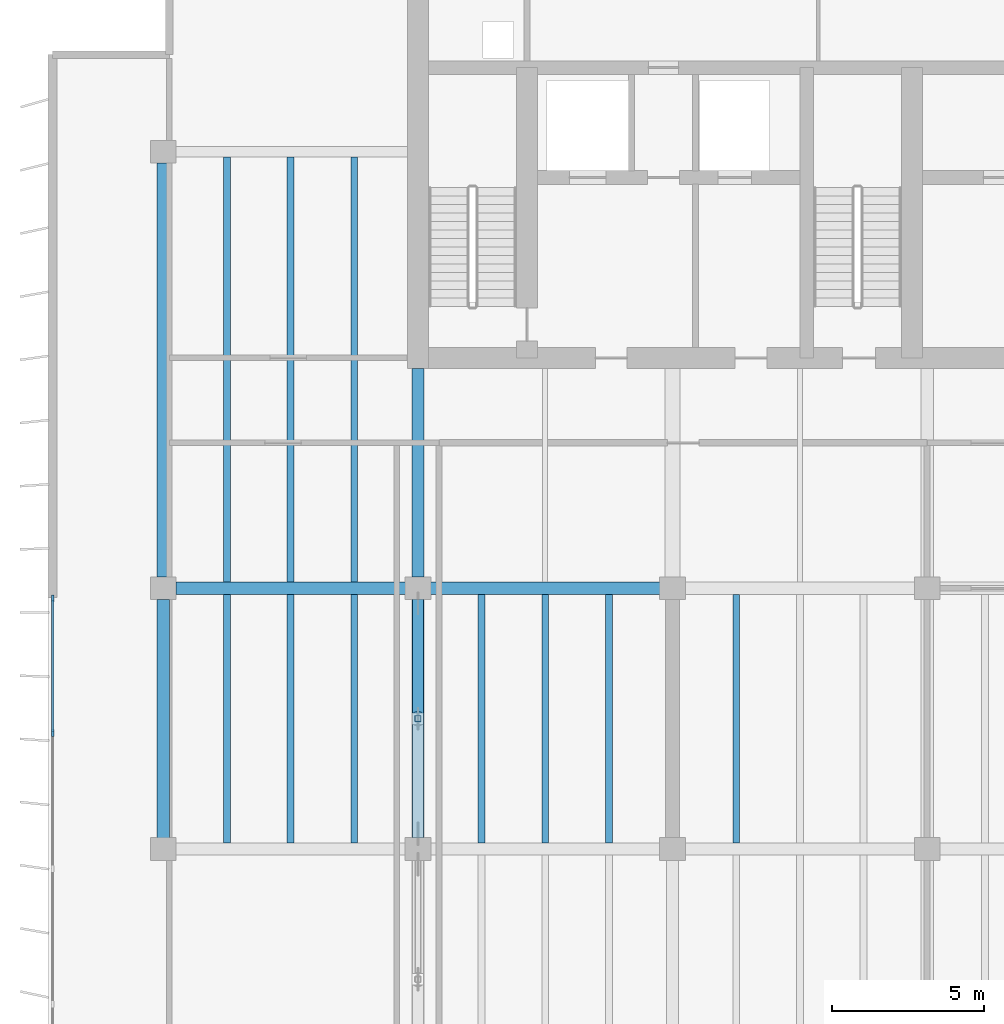
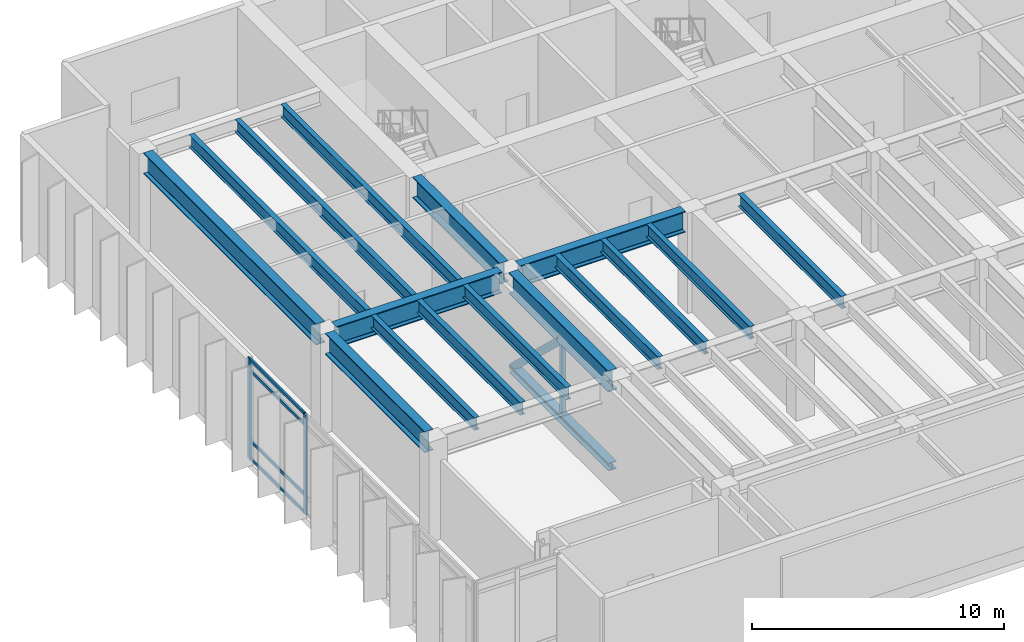
# One storey, part 4 of 23: 17 beams, 8 members, 1 element without a shape of its own.
"""IFC4 building model written with IfcOpenShell, lengths in metres."""

from ifc_helpers import new_model, si_unit, direction, frame, origin, origin_2d, place, context, subcontext, project, spatial, rectangle, hollow_rectangle, hollow_circle, i_section, extrude, material, layer, layer_set, material_profile, profile_set, type_object, element, aggregate, save


model = new_model("IFC4")

# Units and contexts
model_context = context("Model", 3, precision=1e-05, world=origin(), true_north=direction((0.0, 1.0)))
body_context = subcontext(model_context, "Body", "Model", "MODEL_VIEW")
ifc_project = project(units=[si_unit("LENGTHUNIT", "METRE"), si_unit("AREAUNIT", "SQUARE_METRE"), si_unit("VOLUMEUNIT", "CUBIC_METRE"), si_unit("PLANEANGLEUNIT", "RADIAN"), si_unit("MASSUNIT", "GRAM", prefix="KILO")], contexts=[model_context])

# Site, building, storey
site_placement = place(None, origin())
site = spatial("IfcSite", under=ifc_project, at=site_placement, CompositionType="ELEMENT")
building_placement = place(site_placement, origin())
building = spatial("IfcBuilding", under=site, at=building_placement, Name="Caelmar Bay Residences", CompositionType="ELEMENT")
storey_placement = place(building_placement, frame((0.0, 0.0, 221.39990234375)))
storey = spatial("IfcBuildingStorey", under=building, at=storey_placement, Name="L62", CompositionType="ELEMENT", Elevation=221.39990234375)

# Beams
ifc_material_1 = material(Name="Steel ASTM A992 Grade 50", Category="steel")
ifc_material_profile_1 = material_profile(ifc_material_1, i_section(OverallWidth=0.373046875, OverallDepth=0.373046875, WebThickness=0.016357421875, FlangeThickness=0.026123046875, FilletRadius=0.01513671875, at=origin_2d()), Name="W14X132")
ifc_profile_set_1 = profile_set([ifc_material_profile_1], Name="Steel ASTM A992 Grade 50")
beam_type_1 = type_object("IfcBeamType", Name="BM-CHD-W14X132", PredefinedType="BEAM", material=ifc_profile_set_1)
beam_1_placement = place(storey_placement, frame((18.300048828125, 21.1650390625, 0.1865234375), z_axis=(0.0, 1.0, 0.0), x_axis=(-1.0, 0.0, 0.0)))
element("IfcBeam", 1, at=beam_1_placement, inside=storey, type_object=beam_type_1, Name="L62 Outrigger Bottom Chord 2", PredefinedType="BEAM", context=body_context, shape_type="SweptSolid", body=[
    extrude(i_section(OverallWidth=0.373046875, OverallDepth=0.373046875, WebThickness=0.016357421875, FlangeThickness=0.026123046875, FilletRadius=0.01513671875, at=origin_2d()), origin(), (0.0, 0.0, 1.0), 7.869873046875),
])
ifc_material_profile_2 = material_profile(ifc_material_1, i_section(OverallWidth=0.404052734375, OverallDepth=1.02099609375, WebThickness=0.025390625, FlangeThickness=0.0458984375, FilletRadius=0.02294921875, at=origin_2d()), Name="W40X324")
ifc_profile_set_2 = profile_set([ifc_material_profile_2], Name="Steel ASTM A992 Grade 50")
beam_type_2 = type_object("IfcBeamType", Name="BM-GRD-W40X324", PredefinedType="BEAM", material=ifc_profile_set_2)
beam_2_placement = place(storey_placement, frame((10.31494140625, 29.39990234375, 4.339599609375), z_axis=(1.0, 0.0, 0.0), x_axis=(0.0, 1.0, 0.0)))
element("IfcBeam", 2, at=beam_2_placement, inside=storey, type_object=beam_type_2, Name="L62 East-West Girder Y=29.40 (9.9-18.3)", PredefinedType="BEAM", context=body_context, shape_type="SweptSolid", body=[
    extrude(i_section(OverallWidth=0.404052734375, OverallDepth=1.02099609375, WebThickness=0.025390625, FlangeThickness=0.0458984375, FilletRadius=0.02294921875, at=origin_2d()), origin(), (0.0, 0.0, 1.0), 7.570068359375),
])
beam_3_placement = place(storey_placement, frame((18.715087890625, 29.39990234375, 4.339599609375), z_axis=(1.0, 0.0, 0.0), x_axis=(0.0, 1.0, 0.0)))
element("IfcBeam", 3, at=beam_3_placement, inside=storey, type_object=beam_type_2, Name="L62 East-West Girder Y=29.40 (18.3-26.7)", PredefinedType="BEAM", context=body_context, shape_type="SweptSolid", body=[
    extrude(i_section(OverallWidth=0.404052734375, OverallDepth=1.02099609375, WebThickness=0.025390625, FlangeThickness=0.0458984375, FilletRadius=0.02294921875, at=origin_2d()), origin(), (0.0, 0.0, 1.0), 7.56982421875),
])
beam_4_placement = place(storey_placement, frame((9.89990234375, 21.1650390625, 4.339599609375), z_axis=(0.0, 1.0, 0.0), x_axis=(-1.0, 0.0, 0.0)))
element("IfcBeam", 4, at=beam_4_placement, inside=storey, type_object=beam_type_2, Name="L62 North-South Girder X=9.90 (20.8-29.4)", PredefinedType="BEAM", context=body_context, shape_type="SweptSolid", body=[
    extrude(i_section(OverallWidth=0.404052734375, OverallDepth=1.02099609375, WebThickness=0.025390625, FlangeThickness=0.0458984375, FilletRadius=0.02294921875, at=origin_2d()), origin(), (0.0, 0.0, 1.0), 7.869873046875),
])
beam_5_placement = place(storey_placement, frame((9.89990234375, 29.764892578125, 4.339599609375), z_axis=(0.0, 1.0, 0.0), x_axis=(-1.0, 0.0, 0.0)))
element("IfcBeam", 5, at=beam_5_placement, inside=storey, type_object=beam_type_2, Name="L62 North-South Girder X=9.90 (29.4-43.8)", PredefinedType="BEAM", context=body_context, shape_type="SweptSolid", body=[
    extrude(i_section(OverallWidth=0.404052734375, OverallDepth=1.02099609375, WebThickness=0.025390625, FlangeThickness=0.0458984375, FilletRadius=0.02294921875, at=origin_2d()), origin(), (0.0, 0.0, 1.0), 13.670166015625),
])
beam_6_placement = place(storey_placement, frame((18.300048828125, 29.764892578125, 4.339599609375), z_axis=(0.0, 1.0, 0.0), x_axis=(-1.0, 0.0, 0.0)))
element("IfcBeam", 6, at=beam_6_placement, inside=storey, type_object=beam_type_2, Name="L62 Core Tie Girder X=18.30", PredefinedType="BEAM", context=body_context, shape_type="SweptSolid", body=[
    extrude(i_section(OverallWidth=0.404052734375, OverallDepth=1.02099609375, WebThickness=0.025390625, FlangeThickness=0.0458984375, FilletRadius=0.02294921875, at=origin_2d()), origin(), (0.0, 0.0, 1.0), 6.885009765625),
])
beam_7_placement = place(storey_placement, frame((18.300048828125, 21.1650390625, 4.339599609375), z_axis=(0.0, 1.0, 0.0), x_axis=(-1.0, 0.0, 0.0)))
element("IfcBeam", 7, at=beam_7_placement, inside=storey, type_object=beam_type_2, Name="L62 North-South Girder X=18.30 (20.8-29.4)", PredefinedType="BEAM", context=body_context, shape_type="SweptSolid", body=[
    extrude(i_section(OverallWidth=0.404052734375, OverallDepth=1.02099609375, WebThickness=0.025390625, FlangeThickness=0.0458984375, FilletRadius=0.02294921875, at=origin_2d()), origin(), (0.0, 0.0, 1.0), 7.869873046875),
])
ifc_material_profile_3 = material_profile(ifc_material_1, i_section(OverallWidth=0.22900390625, OverallDepth=0.612060546875, WebThickness=0.011962890625, FlangeThickness=0.01953125, FilletRadius=0.0126953125, at=origin_2d()), Name="W24X84")
ifc_profile_set_3 = profile_set([ifc_material_profile_3], Name="Steel ASTM A992 Grade 50")
beam_type_3 = type_object("IfcBeamType", Name="BM-JST-W24X84", PredefinedType="JOIST", material=ifc_profile_set_3)
for number, where, z_axis, x_axis, name in (
    (8, (12.0, 21.001953125, 4.544189453125), (0.0, 1.0, 0.0), (-1.0, 0.0, 0.0), "L62 Composite Floor Joist 16"),
    (9, (14.10009765625, 21.001953125, 4.544189453125), (0.0, 1.0, 0.0), (-1.0, 0.0, 0.0), "L62 Composite Floor Joist 17"),
    (10, (16.199951171875, 21.001953125, 4.544189453125), (0.0, 1.0, 0.0), (-1.0, 0.0, 0.0), "L62 Composite Floor Joist 18"),
    (11, (20.39990234375, 21.001953125, 4.544189453125), (0.0, 1.0, 0.0), (-1.0, 0.0, 0.0), "L62 Composite Floor Joist 19"),
    (12, (22.5, 21.001953125, 4.544189453125), (0.0, 1.0, 0.0), (-1.0, 0.0, 0.0), "L62 Composite Floor Joist 20"),
    (13, (24.60009765625, 21.001953125, 4.544189453125), (0.0, 1.0, 0.0), (-1.0, 0.0, 0.0), "L62 Composite Floor Joist 21"),
    (14, (28.800048828125, 21.001953125, 4.544189453125), (0.0, 1.0, 0.0), (-1.0, 0.0, 0.0), "L62 Composite Floor Joist 22"),
):
    element("IfcBeam", number, at=place(storey_placement, frame(where, z_axis=z_axis, x_axis=x_axis)), inside=storey, type_object=beam_type_3, Name=name, PredefinedType="JOIST", context=body_context, shape_type="SweptSolid", body=[
        extrude(i_section(OverallWidth=0.22900390625, OverallDepth=0.612060546875, WebThickness=0.011962890625, FlangeThickness=0.01953125, FilletRadius=0.0126953125, at=origin_2d()), origin(), (0.0, 0.0, 1.0), 8.196044921875),
    ])
for number, where, z_axis, x_axis, name in (
    (15, (12.0, 29.60205078125, 4.544189453125), (0.0, 1.0, 0.0), (-1.0, 0.0, 0.0), "L62 Composite Floor Joist 42"),
    (16, (14.10009765625, 29.60205078125, 4.544189453125), (0.0, 1.0, 0.0), (-1.0, 0.0, 0.0), "L62 Composite Floor Joist 43"),
    (17, (16.199951171875, 29.60205078125, 4.544189453125), (0.0, 1.0, 0.0), (-1.0, 0.0, 0.0), "L62 Composite Floor Joist 44"),
):
    element("IfcBeam", number, at=place(storey_placement, frame(where, z_axis=z_axis, x_axis=x_axis)), inside=storey, type_object=beam_type_3, Name=name, PredefinedType="JOIST", context=body_context, shape_type="SweptSolid", body=[
        extrude(i_section(OverallWidth=0.22900390625, OverallDepth=0.612060546875, WebThickness=0.011962890625, FlangeThickness=0.01953125, FilletRadius=0.0126953125, at=origin_2d()), origin(), (0.0, 0.0, 1.0), 14.02001953125),
    ])

# Curtain wall, members
ifc_material_2 = material(Name="Anodised bronze aluminium 6063-T6 and laminated glass", Category="aluminium")
ifc_layer = layer(ifc_material_2, 0.179931640625)
ifc_layer_set = layer_set([ifc_layer], Name="Anodised bronze aluminium 6063-T6 and laminated glass")
curtain_wall_type = type_object("IfcCurtainWallType", Name="CW4-Z3", PredefinedType="NOTDEFINED", material=ifc_layer_set)
curtain_wall_placement = place(storey_placement, origin())
curtain_wall = element("IfcCurtainWall", 18, at=curtain_wall_placement, inside=storey, type_object=curtain_wall_type, Name="CW4 curtain wall L62", PredefinedType="NOTDEFINED")
ifc_material_3 = material(Name="Anodised bronze aluminium 6063-T6", Category="aluminium")
ifc_material_profile_4 = material_profile(ifc_material_3, rectangle(XDim=0.080078125, YDim=0.219970703125, at=origin_2d()), Name="CWM-80X220")
ifc_profile_set_4 = profile_set([ifc_material_profile_4], Name="Anodised bronze aluminium 6063-T6")
member_type_1 = type_object("IfcMemberType", Name="CWM-220", PredefinedType="MULLION", material=ifc_profile_set_4)
member_1_placement = place(storey_placement, frame((6.25, 24.625, 0.0), z_axis=(0.0, 0.0, 1.0), x_axis=(-1.0, 0.0, 0.0)))
member_1 = element("IfcMember", 19, at=member_1_placement, type_object=member_type_1, Name="CW4 mullion 4", PredefinedType="MULLION", context=body_context, shape_type="SweptSolid", body=[
    extrude(rectangle(XDim=0.080078125, YDim=0.219970703125, at=origin_2d()), origin(), (0.0, 0.0, 1.0), 4.85009765625),
])
member_2_placement = place(storey_placement, frame((6.25, 29.06005859375, 0.0), z_axis=(0.0, 0.0, 1.0), x_axis=(-1.0, 0.0, 0.0)))
member_2 = element("IfcMember", 20, at=member_2_placement, type_object=member_type_1, Name="CW4 mullion 5", PredefinedType="MULLION", context=body_context, shape_type="SweptSolid", body=[
    extrude(rectangle(XDim=0.080078125, YDim=0.219970703125, at=origin_2d()), origin(), (0.0, 0.0, 1.0), 4.85009765625),
])
ifc_material_profile_5 = material_profile(ifc_material_3, rectangle(XDim=0.080078125, YDim=0.139892578125, at=origin_2d()), Name="CWT-80X140")
ifc_profile_set_5 = profile_set([ifc_material_profile_5], Name="Anodised bronze aluminium 6063-T6")
member_type_2 = type_object("IfcMemberType", Name="CWT-140", PredefinedType="NOTDEFINED", material=ifc_profile_set_5)
member_3_placement = place(storey_placement, frame((6.25, 24.6650390625, 0.0400390625), z_axis=(0.0, 1.0, 0.0), x_axis=(-1.0, 0.0, 0.0)))
member_3 = element("IfcMember", 21, at=member_3_placement, type_object=member_type_2, Name="CW4 transom 4.1", ObjectType="TRANSOM", PredefinedType="USERDEFINED", context=body_context, shape_type="SweptSolid", body=[
    extrude(rectangle(XDim=0.080078125, YDim=0.139892578125, at=origin_2d()), origin(), (0.0, 0.0, 1.0), 4.35498046875),
])
member_4_placement = place(storey_placement, frame((6.25, 24.6650390625, 0.900146484375), z_axis=(0.0, 1.0, 0.0), x_axis=(-1.0, 0.0, 0.0)))
member_4 = element("IfcMember", 22, at=member_4_placement, type_object=member_type_2, Name="CW4 transom 4.2", ObjectType="TRANSOM", PredefinedType="USERDEFINED", context=body_context, shape_type="SweptSolid", body=[
    extrude(rectangle(XDim=0.080078125, YDim=0.139892578125, at=origin_2d()), origin(), (0.0, 0.0, 1.0), 4.35498046875),
])
member_5_placement = place(storey_placement, frame((6.25, 24.6650390625, 4.300048828125), z_axis=(0.0, 1.0, 0.0), x_axis=(-1.0, 0.0, 0.0)))
member_5 = element("IfcMember", 23, at=member_5_placement, type_object=member_type_2, Name="CW4 transom 4.3", ObjectType="TRANSOM", PredefinedType="USERDEFINED", context=body_context, shape_type="SweptSolid", body=[
    extrude(rectangle(XDim=0.080078125, YDim=0.139892578125, at=origin_2d()), origin(), (0.0, 0.0, 1.0), 4.35498046875),
])
member_6_placement = place(storey_placement, frame((6.25, 24.6650390625, 4.81005859375), z_axis=(0.0, 1.0, 0.0), x_axis=(-1.0, 0.0, 0.0)))
member_6 = element("IfcMember", 24, at=member_6_placement, type_object=member_type_2, Name="CW4 transom 4.4", ObjectType="TRANSOM", PredefinedType="USERDEFINED", context=body_context, shape_type="SweptSolid", body=[
    extrude(rectangle(XDim=0.080078125, YDim=0.139892578125, at=origin_2d()), origin(), (0.0, 0.0, 1.0), 4.35498046875),
])
aggregate(curtain_wall, [member_1, member_2, member_3, member_4, member_5, member_6])

# Members
ifc_material_4 = material(Name="Steel ASTM A500 Grade C", Category="steel")
ifc_material_profile_6 = material_profile(ifc_material_4, hollow_circle(Radius=0.177978515625, WallThickness=0.017578125, at=origin_2d()), Name="CHS356X19.1")
ifc_profile_set_6 = profile_set([ifc_material_profile_6], Name="Steel ASTM A500 Grade C")
member_type_3 = type_object("IfcMemberType", Name="MEM-OUT-CHS356", PredefinedType="BRACE", material=ifc_profile_set_6)
member_7_placement = place(storey_placement, frame((18.300048828125, 29.034912109375, 0.22021484375), z_axis=(0.0, -0.725038820171, 0.688707999987), x_axis=(1.0, 0.0, 0.0)))
element("IfcMember", 25, at=member_7_placement, inside=storey, type_object=member_type_3, Name="L62 Outrigger Secondary Diagonal 2B", PredefinedType="BRACE", context=body_context, shape_type="SweptSolid", body=[
    extrude(hollow_circle(Radius=0.177978515625, WallThickness=0.017578125, at=origin_2d()), origin(), (0.0, 0.0, 1.0), 5.26171875),
])
ifc_material_profile_7 = material_profile(ifc_material_4, hollow_rectangle(XDim=0.202880859375, YDim=0.202880859375, WallThickness=0.01171875, InnerFilletRadius=0.01171875, OuterFilletRadius=0.023681640625, at=origin_2d()), Name="HSS200X200X12.7")
ifc_profile_set_7 = profile_set([ifc_material_profile_7], Name="Steel ASTM A500 Grade C")
member_type_4 = type_object("IfcMemberType", Name="MEM-PST-HSS200", PredefinedType="POST", material=ifc_profile_set_7)
member_8_placement = place(storey_placement, frame((18.300048828125, 25.10009765625, 0.373046875), z_axis=(0.0, 0.0, 1.0), x_axis=(1.0, 0.0, 0.0)))
element("IfcMember", 26, at=member_8_placement, inside=storey, type_object=member_type_4, Name="L62 Outrigger Web Post 2", PredefinedType="POST", context=body_context, shape_type="SweptSolid", body=[
    extrude(hollow_rectangle(XDim=0.202880859375, YDim=0.202880859375, WallThickness=0.01171875, InnerFilletRadius=0.01171875, OuterFilletRadius=0.023681640625, at=origin_2d()), origin(), (0.0, 0.0, 1.0), 3.470947265625),
])

save(model, "model.ifc")
